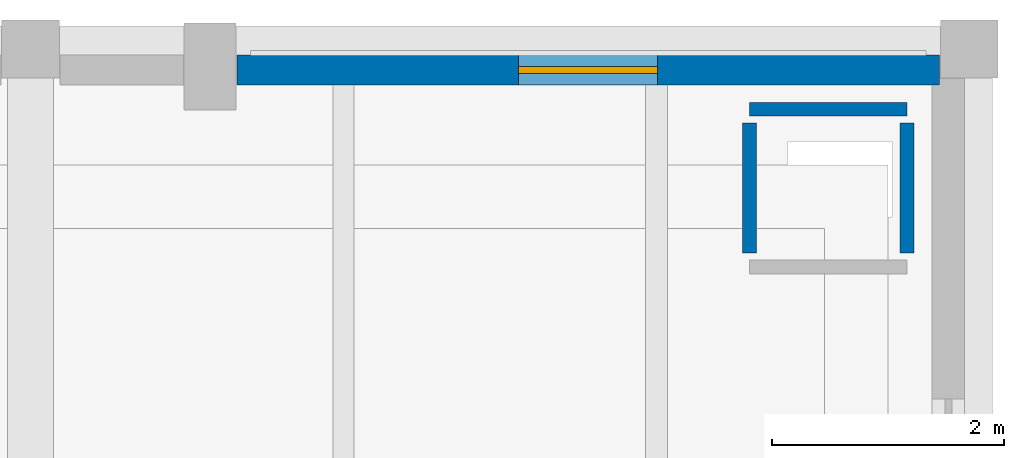
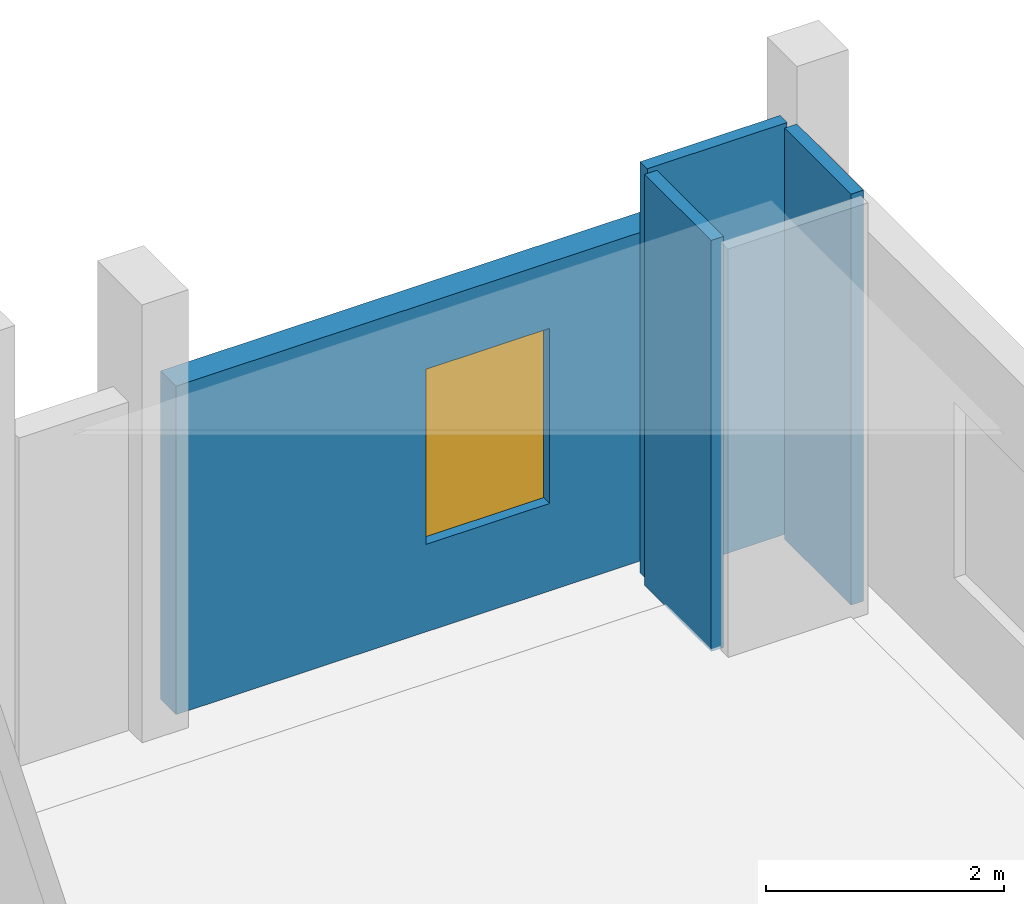
# One storey, part 50 of 56: 4 walls, 1 window, 1 opening.
"""IFC4 building model written with IfcOpenShell, lengths in metres."""

from ifc_helpers import new_model, si_unit, direction, frame, frame_2d, origin, place, context, subcontext, project, spatial, rectangle, extrude, material, layer, layer_set, type_object, element, fill, save


model = new_model("IFC4")

# Units and contexts
model_context = context("Model", 3, precision=1e-05, world=origin(), true_north=direction((0.0, 1.0)))
body_context = subcontext(model_context, "Body", "Model", "MODEL_VIEW")
ifc_project = project(units=[si_unit("LENGTHUNIT", "METRE"), si_unit("AREAUNIT", "SQUARE_METRE"), si_unit("VOLUMEUNIT", "CUBIC_METRE"), si_unit("PLANEANGLEUNIT", "RADIAN"), si_unit("MASSUNIT", "GRAM", prefix="KILO")], contexts=[model_context])

# Site, building, storey
site_placement = place(None, origin())
site = spatial("IfcSite", under=ifc_project, at=site_placement, CompositionType="ELEMENT")
building_placement = place(site_placement, origin())
building = spatial("IfcBuilding", under=site, at=building_placement, Name="Kaelora Sail Theatre", CompositionType="ELEMENT")
storey_placement = place(building_placement, frame((0.0, 0.0, 14.699951171875)))
storey = spatial("IfcBuildingStorey", under=building, at=storey_placement, Name="L03", CompositionType="ELEMENT", Elevation=14.699951171875)

# Wall, opening, window
ifc_material_1 = material(Name="Precast concrete C45/55", Category="concrete")
ifc_layer_1 = layer(ifc_material_1, 0.260009765625)
ifc_layer_set_1 = layer_set([ifc_layer_1], Name="Precast concrete C45/55")
wall_type_1 = type_object("IfcWallType", Name="ARC-WL-EW-260", PredefinedType="SOLIDWALL", material=ifc_layer_set_1)
wall_1_placement = place(storey_placement, frame((124.780029296875, 112.919921875, 0.0), z_axis=(0.0, 0.0, 1.0), x_axis=(1.0, 0.0, 0.0)))
wall_1 = element("IfcWall", 1, at=wall_1_placement, inside=storey, type_object=wall_type_1, Name="North Conservatory/Production Facade Wall L03 B16", PredefinedType="SOLIDWALL", context=body_context, shape_type="SweptSolid", body=[
    extrude(rectangle(XDim=6.06494140625, YDim=0.260009765625, at=frame_2d((3.032470703125, 0.0))), origin(), (0.0, 0.0, 1.0), 3.376953125),
])
opening_placement = place(wall_1_placement, frame((2.431884765625, 0.0, 0.89990234375)))
opening = element("IfcOpeningElement", 2, at=opening_placement, cuts=wall_1, Name="Opening W-05", PredefinedType="OPENING", context=body_context, shape_type="SweptSolid", body=[
    extrude(rectangle(XDim=1.199951171875, YDim=1.800048828125, at=frame_2d((0.60009765625, 0.89990234375))), frame((0.0, 0.139883, 0.0), z_axis=(0.0, -1.0, 0.0), x_axis=(1.0, 0.0, 0.0)), (0.0, 0.0, 1.0), 0.28001),
])
ifc_material_2 = material(Name="Thermally broken aluminium and low-E double glazing", Category="aluminium")
window_type = type_object("IfcWindowType", Name="ARC-WIN-W-05", PartitioningType="SINGLE_PANEL", PredefinedType="WINDOW", material=ifc_material_2)
window_placement = place(opening_placement, origin())
window = element("IfcWindow", 3, at=window_placement, inside=storey, type_object=window_type, Name="North facade window L03 B16", OverallHeight=1.800048828125, OverallWidth=1.199951171875, PartitioningType="SINGLE_PANEL", PredefinedType="WINDOW", context=body_context, shape_type="SweptSolid", body=[
    extrude(rectangle(XDim=1.199951171875, YDim=1.800048828125, at=frame_2d((0.60009765625, 0.89990234375))), frame((0.0, 0.030029296875, 0.0), z_axis=(0.0, -1.0, 0.0), x_axis=(1.0, 0.0, 0.0)), (0.0, 0.0, 1.0), 0.06005859375),
])
fill(opening, window)

# Walls
ifc_material_3 = material(Name="Standard metal-stud partition 120 mm", Category="gypsum")
ifc_layer_2 = layer(ifc_material_3, 0.1201171875)
ifc_layer_set_2 = layer_set([ifc_layer_2], Name="Standard metal-stud partition 120 mm")
wall_type_2 = type_object("IfcWallType", Name="ARC-WL-PT-120", PredefinedType="PARTITIONING", material=ifc_layer_set_2)
wall_2_placement = place(storey_placement, frame((129.205078125, 112.580078125, 0.0), z_axis=(0.0, 0.0, 1.0), x_axis=(1.0, 0.0, 0.0)))
element("IfcWall", 4, at=wall_2_placement, inside=storey, type_object=wall_type_2, Name="MEP riser shaft wall NW4-L03-N", PredefinedType="PARTITIONING", context=body_context, shape_type="SweptSolid", body=[
    extrude(rectangle(XDim=1.35986328125, YDim=0.1201171875, at=frame_2d((0.679931640625, 0.0))), origin(), (0.0, 0.0, 1.0), 4.22509765625),
])
for number, where, z_axis, x_axis, name in (
    (5, (129.205078125, 111.340087890625, 0.0), (0.0, 0.0, 1.0), (0.0, 1.0, 0.0), "MEP riser shaft wall NW4-L03-W"),
    (6, (130.56494140625, 111.340087890625, 0.0), (0.0, 0.0, 1.0), (0.0, 1.0, 0.0), "MEP riser shaft wall NW4-L03-E"),
):
    element("IfcWall", number, at=place(storey_placement, frame(where, z_axis=z_axis, x_axis=x_axis)), inside=storey, type_object=wall_type_2, Name=name, PredefinedType="PARTITIONING", context=body_context, shape_type="SweptSolid", body=[
        extrude(rectangle(XDim=1.119873046875, YDim=0.1201171875, at=frame_2d((0.56005859375, 0.0))), origin(), (0.0, 0.0, 1.0), 4.22509765625),
    ])

save(model, "model.ifc")
